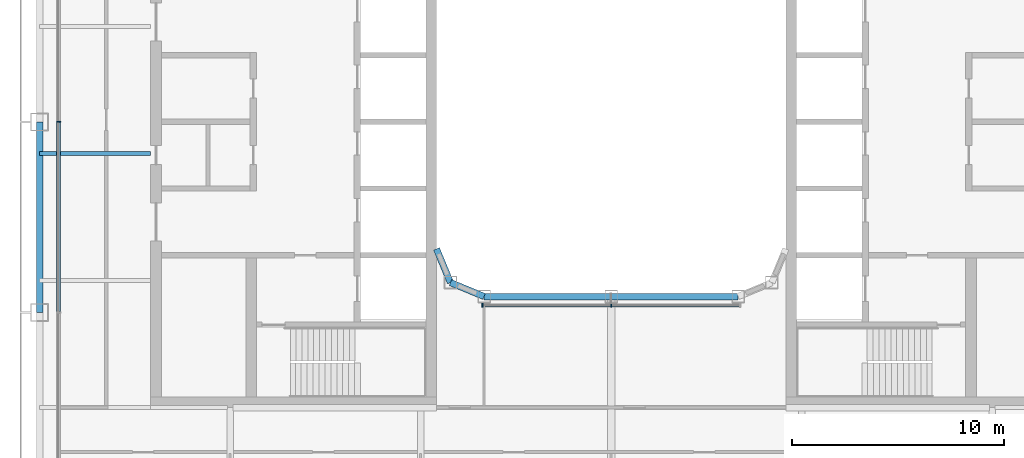
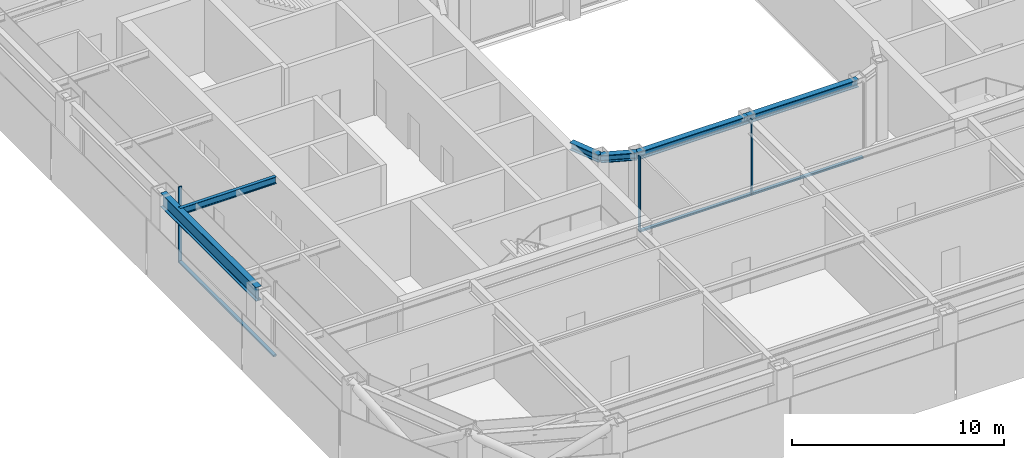
# One storey, part 3 of 19: 6 beams, 6 members, 2 elements without a shape of their own.
"""IFC4 building model written with IfcOpenShell, lengths in metres."""

from ifc_helpers import new_model, si_unit, direction, frame, origin, origin_2d, place, context, subcontext, project, spatial, rectangle, i_section, extrude, material, layer, layer_set, material_profile, profile_set, type_object, element, aggregate, save


model = new_model("IFC4")

# Units and contexts
model_context = context("Model", 3, precision=1e-05, world=origin(), true_north=direction((0.0, 1.0)))
body_context = subcontext(model_context, "Body", "Model", "MODEL_VIEW")
ifc_project = project(units=[si_unit("LENGTHUNIT", "METRE"), si_unit("AREAUNIT", "SQUARE_METRE"), si_unit("VOLUMEUNIT", "CUBIC_METRE"), si_unit("PLANEANGLEUNIT", "RADIAN"), si_unit("MASSUNIT", "GRAM", prefix="KILO")], contexts=[model_context])

# Site, building, storey
site_placement = place(None, origin())
site = spatial("IfcSite", under=ifc_project, at=site_placement, CompositionType="ELEMENT")
building_placement = place(site_placement, origin())
building = spatial("IfcBuilding", under=site, at=building_placement, Name="Siwar Civic Tower", CompositionType="ELEMENT")
storey_placement = place(building_placement, frame((0.0, 0.0, 192.699951171875)))
storey = spatial("IfcBuildingStorey", under=building, at=storey_placement, Name="L41", CompositionType="ELEMENT", Elevation=192.699951171875)

# Curtain wall, member
ifc_material_1 = material(Name="Aluminium and glass", Category="aluminium")
ifc_layer_1 = layer(ifc_material_1, 0.179931640625)
ifc_layer_set_1 = layer_set([ifc_layer_1], Name="Aluminium and glass")
curtain_wall_type_1 = type_object("IfcCurtainWallType", Name="ENV-CW-C", PredefinedType="NOTDEFINED", material=ifc_layer_set_1)
curtain_wall_1_placement = place(storey_placement, origin())
curtain_wall_1 = element("IfcCurtainWall", 1, at=curtain_wall_1_placement, inside=storey, type_object=curtain_wall_type_1, Name="Curtain wall C W", PredefinedType="NOTDEFINED")
ifc_material_2 = material(Name="Aluminium 6063-T6", Category="aluminium")
ifc_material_profile_1 = material_profile(ifc_material_2, rectangle(XDim=0.179931640625, YDim=0.06005859375, at=origin_2d()), Name="AL 180x60")
ifc_profile_set_1 = profile_set([ifc_material_profile_1], Name="Aluminium 6063-T6")
member_type_1 = type_object("IfcMemberType", Name="ENV-MULLION-C", PredefinedType="MULLION", material=ifc_profile_set_1)
member_1_placement = place(storey_placement, frame((-26.10009765625, 0.0, 0.0), z_axis=(0.0, 0.0, 1.0), x_axis=(1.0, 0.0, 0.0)))
member_1 = element("IfcMember", 2, at=member_1_placement, type_object=member_type_1, Name="Mullion C W 3", PredefinedType="MULLION", context=body_context, shape_type="SweptSolid", body=[
    extrude(rectangle(XDim=0.179931640625, YDim=0.06005859375, at=origin_2d()), origin(), (0.0, 0.0, 1.0), 4.35009765625),
])

# Curtain wall, members
ifc_material_3 = material(Name="Aluminium and glass", Category="aluminium")
ifc_layer_2 = layer(ifc_material_3, 0.179931640625)
ifc_layer_set_2 = layer_set([ifc_layer_2], Name="Aluminium and glass")
curtain_wall_type_2 = type_object("IfcCurtainWallType", Name="ENV-CW-W", PredefinedType="NOTDEFINED", material=ifc_layer_set_2)
curtain_wall_2_placement = place(storey_placement, origin())
curtain_wall_2 = element("IfcCurtainWall", 3, at=curtain_wall_2_placement, inside=storey, type_object=curtain_wall_type_2, Name="Curtain wall W WS", PredefinedType="NOTDEFINED")
ifc_material_4 = material(Name="Aluminium 6063-T6", Category="aluminium")
ifc_material_profile_2 = material_profile(ifc_material_4, rectangle(XDim=0.179931640625, YDim=0.06005859375, at=origin_2d()), Name="AL 180x60")
ifc_profile_set_2 = profile_set([ifc_material_profile_2], Name="Aluminium 6063-T6")
member_type_2 = type_object("IfcMemberType", Name="ENV-MULLION-W", PredefinedType="MULLION", material=ifc_profile_set_2)
member_2_placement = place(storey_placement, frame((-6.08154296875, -8.659912109375, 0.0), z_axis=(0.0, 0.0, 1.0), x_axis=(0.0, 1.0, 0.0)))
member_2 = element("IfcMember", 4, at=member_2_placement, type_object=member_type_2, Name="Mullion W WS 1", PredefinedType="MULLION", context=body_context, shape_type="SweptSolid", body=[
    extrude(rectangle(XDim=0.179931640625, YDim=0.06005859375, at=origin_2d()), origin(), (0.0, 0.0, 1.0), 4.35009765625),
])
member_3_placement = place(storey_placement, frame((0.0, -8.659912109375, 0.0), z_axis=(0.0, 0.0, 1.0), x_axis=(0.0, 1.0, 0.0)))
member_3 = element("IfcMember", 5, at=member_3_placement, type_object=member_type_2, Name="Mullion W WS 2", PredefinedType="MULLION", context=body_context, shape_type="SweptSolid", body=[
    extrude(rectangle(XDim=0.179931640625, YDim=0.06005859375, at=origin_2d()), origin(), (0.0, 0.0, 1.0), 4.35009765625),
])

# Member
ifc_material_5 = material(Name="Aluminium 6063-T6", Category="aluminium")
ifc_material_profile_3 = material_profile(ifc_material_5, rectangle(XDim=0.179931640625, YDim=0.10009765625, at=origin_2d()), Name="AL 180x100")
ifc_profile_set_3 = profile_set([ifc_material_profile_3], Name="Aluminium 6063-T6")
member_type_3 = type_object("IfcMemberType", Name="ENV-TRANSOM-C", PredefinedType="USERDEFINED", material=ifc_profile_set_3)
member_4_placement = place(storey_placement, frame((-26.10009765625, -0.030029296875, 0.050048828125), z_axis=(0.0, -1.0, 0.0), x_axis=(1.0, 0.0, 0.0)))
member_4 = element("IfcMember", 6, at=member_4_placement, type_object=member_type_3, Name="Transom C W 3", ObjectType="TRANSOM", PredefinedType="USERDEFINED", context=body_context, shape_type="SweptSolid", body=[
    extrude(rectangle(XDim=0.179931640625, YDim=0.10009765625, at=origin_2d()), origin(), (0.0, 0.0, 1.0), 8.93994140625),
])

aggregate(curtain_wall_1, [member_1, member_4])

ifc_material_6 = material(Name="Aluminium 6063-T6", Category="aluminium")
ifc_material_profile_4 = material_profile(ifc_material_6, rectangle(XDim=0.179931640625, YDim=0.10009765625, at=origin_2d()), Name="AL 180x100")
ifc_profile_set_4 = profile_set([ifc_material_profile_4], Name="Aluminium 6063-T6")
member_type_4 = type_object("IfcMemberType", Name="ENV-TRANSOM-W", PredefinedType="USERDEFINED", material=ifc_profile_set_4)
member_5_placement = place(storey_placement, frame((-6.051513671875, -8.659912109375, 0.050048828125), z_axis=(1.0, 0.0, 0.0), x_axis=(0.0, 1.0, 0.0)))
member_5 = element("IfcMember", 7, at=member_5_placement, type_object=member_type_4, Name="Transom W WS 1", ObjectType="TRANSOM", PredefinedType="USERDEFINED", context=body_context, shape_type="SweptSolid", body=[
    extrude(rectangle(XDim=0.179931640625, YDim=0.10009765625, at=origin_2d()), origin(), (0.0, 0.0, 1.0), 6.021484375),
])

member_6_placement = place(storey_placement, frame((0.030029296875, -8.659912109375, 0.050048828125), z_axis=(1.0, 0.0, 0.0), x_axis=(0.0, 1.0, 0.0)))
member_6 = element("IfcMember", 8, at=member_6_placement, type_object=member_type_4, Name="Transom W WS 2", ObjectType="TRANSOM", PredefinedType="USERDEFINED", context=body_context, shape_type="SweptSolid", body=[
    extrude(rectangle(XDim=0.179931640625, YDim=0.10009765625, at=origin_2d()), origin(), (0.0, 0.0, 1.0), 6.021484375),
])

aggregate(curtain_wall_2, [member_2, member_3, member_5, member_6])

# Beams
ifc_material_7 = material(Name="Steel S355", Category="steel")
ifc_material_profile_5 = material_profile(ifc_material_7, i_section(OverallWidth=0.179931640625, OverallDepth=0.39990234375, WebThickness=0.008544921875, FlangeThickness=0.013427734375, FilletRadius=0.02099609375, at=origin_2d()), Name="IPE400")
ifc_profile_set_5 = profile_set([ifc_material_profile_5], Name="Steel S355")
beam_type_1 = type_object("IfcBeamType", Name="STR-FB-IPE400", PredefinedType="JOIST", material=ifc_profile_set_5)
beam_1_placement = place(storey_placement, frame((-27.0, -1.5, 4.150146484375), z_axis=(1.0, 0.0, 0.0), x_axis=(0.0, 1.0, 0.0)))
element("IfcBeam", 9, at=beam_1_placement, inside=storey, type_object=beam_type_1, Name="L41/bm/F023", PredefinedType="JOIST", context=body_context, shape_type="SweptSolid", body=[
    extrude(i_section(OverallWidth=0.179931640625, OverallDepth=0.39990234375, WebThickness=0.008544921875, FlangeThickness=0.013427734375, FilletRadius=0.02099609375, at=origin_2d()), origin(), (0.0, 0.0, 1.0), 5.25),
])
ifc_material_8 = material(Name="Steel S355", Category="steel")
ifc_material_profile_6 = material_profile(ifc_material_8, i_section(OverallWidth=0.306884765625, OverallDepth=0.431884765625, WebThickness=0.02099609375, FlangeThickness=0.0400390625, FilletRadius=0.027099609375, at=origin_2d()), Name="HEM400")
ifc_profile_set_6 = profile_set([ifc_material_profile_6], Name="Steel S355")
beam_type_2 = type_object("IfcBeamType", Name="STR-RB-HEM400", PredefinedType="BEAM", material=ifc_profile_set_6)
beam_2_placement = place(storey_placement, frame((-7.591064453125, -7.591064453125, 4.134033203125), z_axis=(0.923901072997, -0.382631424892, 0.0), x_axis=(0.382631424892, 0.923901072997, 0.0)))
element("IfcBeam", 10, at=beam_2_placement, inside=storey, type_object=beam_type_2, Name="L41/bm/RS0", PredefinedType="BEAM", context=body_context, shape_type="SweptSolid", body=[
    extrude(i_section(OverallWidth=0.306884765625, OverallDepth=0.431884765625, WebThickness=0.02099609375, FlangeThickness=0.0400390625, FilletRadius=0.027099609375, at=origin_2d()), origin(), (0.0, 0.0, 1.0), 1.72216796875),
])
for number, where, z_axis, x_axis, name in (
    (11, (-6.0, -8.25, 4.134033203125), (1.0, 0.0, 0.0), (0.0, 1.0, 0.0), "L41/bm/RS1"),
    (12, (0.0, -8.25, 4.134033203125), (1.0, 0.0, 0.0), (0.0, 1.0, 0.0), "L41/bm/RS2"),
):
    element("IfcBeam", number, at=place(storey_placement, frame(where, z_axis=z_axis, x_axis=x_axis)), inside=storey, type_object=beam_type_2, Name=name, PredefinedType="BEAM", context=body_context, shape_type="SweptSolid", body=[
        extrude(i_section(OverallWidth=0.306884765625, OverallDepth=0.431884765625, WebThickness=0.02099609375, FlangeThickness=0.0400390625, FilletRadius=0.027099609375, at=origin_2d()), origin(), (0.0, 0.0, 1.0), 6.0),
    ])
beam_3_placement = place(storey_placement, frame((-7.591064453125, -7.591064453125, 4.134033203125), z_axis=(-0.382631424892, 0.923901072997, 0.0), x_axis=(-0.923901072997, -0.382631424892, 0.0)))
element("IfcBeam", 13, at=beam_3_placement, inside=storey, type_object=beam_type_2, Name="L41/bm/RSEW", PredefinedType="BEAM", context=body_context, shape_type="SweptSolid", body=[
    extrude(i_section(OverallWidth=0.306884765625, OverallDepth=0.431884765625, WebThickness=0.02099609375, FlangeThickness=0.0400390625, FilletRadius=0.027099609375, at=origin_2d()), origin(), (0.0, 0.0, 1.0), 1.72216796875),
])
ifc_material_9 = material(Name="Steel S355", Category="steel")
ifc_material_profile_7 = material_profile(ifc_material_9, i_section(OverallWidth=0.300048828125, OverallDepth=0.800048828125, WebThickness=0.017578125, FlangeThickness=0.032958984375, FilletRadius=0.030029296875, at=origin_2d()), Name="HEB800")
ifc_profile_set_7 = profile_set([ifc_material_profile_7], Name="Steel S355")
beam_type_3 = type_object("IfcBeamType", Name="STR-SB-HEB800", PredefinedType="BEAM", material=ifc_profile_set_7)
beam_4_placement = place(storey_placement, frame((-27.0, 0.0, 3.949951171875), z_axis=(0.0, -1.0, 0.0), x_axis=(1.0, 0.0, 0.0)))
element("IfcBeam", 14, at=beam_4_placement, inside=storey, type_object=beam_type_3, Name="L41/bm/SW-2", PredefinedType="BEAM", context=body_context, shape_type="SweptSolid", body=[
    extrude(i_section(OverallWidth=0.300048828125, OverallDepth=0.800048828125, WebThickness=0.017578125, FlangeThickness=0.032958984375, FilletRadius=0.030029296875, at=origin_2d()), origin(), (0.0, 0.0, 1.0), 9.0),
])

save(model, "model.ifc")
